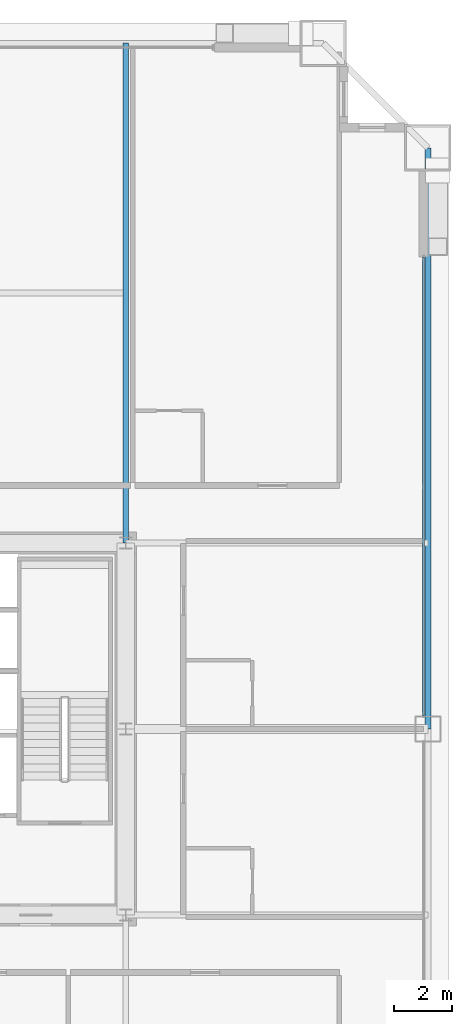
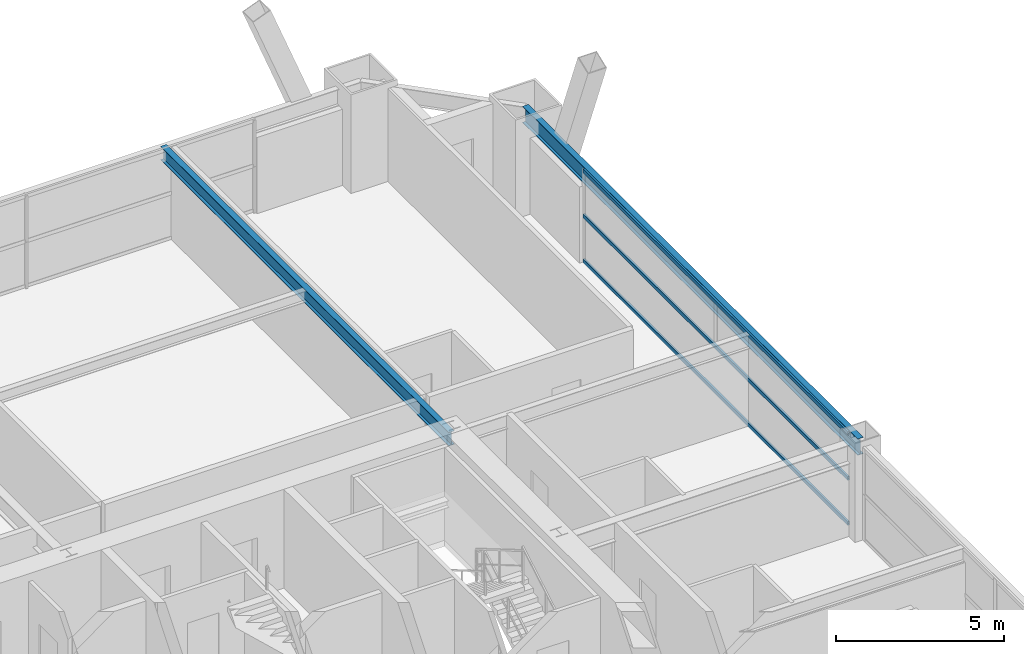
# One storey, part 33 of 43: 3 members, 2 beams, 1 element without a shape of its own.
"""IFC4 building model written with IfcOpenShell, lengths in metres."""

from ifc_helpers import new_model, si_unit, direction, frame, origin, origin_2d, place, context, subcontext, project, spatial, hollow_rectangle, i_section, extrude, source, transform, mapped, material, layer, layer_set, material_profile, profile_set, type_object, element, aggregate, save


model = new_model("IFC4")

# Units and contexts
model_context = context("Model", 3, precision=1e-05, world=origin(), true_north=direction((0.0, 1.0)))
body_context = subcontext(model_context, "Body", "Model", "MODEL_VIEW")
ifc_project = project(units=[si_unit("LENGTHUNIT", "METRE"), si_unit("AREAUNIT", "SQUARE_METRE"), si_unit("VOLUMEUNIT", "CUBIC_METRE"), si_unit("PLANEANGLEUNIT", "RADIAN"), si_unit("MASSUNIT", "GRAM", prefix="KILO"), si_unit("THERMODYNAMICTEMPERATUREUNIT", "KELVIN"), si_unit("POWERUNIT", "WATT")], contexts=[model_context])

# Site, building, storey
site_placement = place(None, origin())
site = spatial("IfcSite", under=ifc_project, at=site_placement, CompositionType="ELEMENT")
building_placement = place(site_placement, origin())
building = spatial("IfcBuilding", under=site, at=building_placement, Name="Yuzanri Waterfront Tower", CompositionType="ELEMENT")
storey_placement = place(building_placement, frame((0.0, 0.0, 138.0)))
storey = spatial("IfcBuildingStorey", under=building, at=storey_placement, Name="L36", CompositionType="ELEMENT", Elevation=138.0)

# Beams
ifc_material_1 = material(Name="Steel Q355B", Category="steel")
ifc_material_profile_1 = material_profile(ifc_material_1, i_section(OverallWidth=0.199951171875, OverallDepth=0.60009765625, WebThickness=0.010986328125, FlangeThickness=0.01708984375, at=origin_2d()), Name="HN 600x200x11x17")
ifc_profile_set_1 = profile_set([ifc_material_profile_1], Name="Steel Q355B")
beam_type_1 = type_object("IfcBeamType", Name="Perimeter Spandrel Q355B HN 600x200", PredefinedType="SPANDREL", material=ifc_profile_set_1)
shared_shape_1 = source(origin(), body_context, "Body", "SweptSolid", [
    extrude(i_section(OverallWidth=0.199951171875, OverallDepth=0.60009765625, WebThickness=0.010986328125, FlangeThickness=0.01708984375, at=origin_2d()), origin(), (0.0, 0.0, 1.0), 20.0),
])
beam_1_placement = place(storey_placement, frame((60.60009765625, 25.800048828125, 3.080078125), z_axis=(0.0, 1.0, 0.0), x_axis=(-1.0, 0.0, 0.0)))
element("IfcBeam", 1, at=beam_1_placement, inside=storey, type_object=beam_type_1, Name="L36 Perimeter Spandrel E2-E3", PredefinedType="SPANDREL", context=body_context, shape_type="MappedRepresentation", body=[
    mapped(shared_shape_1, transform((0.0, 0.0, 0.0), scale=1.0)),
])
ifc_material_2 = material(Name="Steel Q355B", Category="steel")
ifc_material_profile_2 = material_profile(ifc_material_2, i_section(OverallWidth=0.199951171875, OverallDepth=0.5, WebThickness=0.010009765625, FlangeThickness=0.01611328125, at=origin_2d()), Name="HN 500x200x10x16")
ifc_profile_set_2 = profile_set([ifc_material_profile_2], Name="Steel Q355B")
beam_type_2 = type_object("IfcBeamType", Name="Secondary Floor Beam Q355B HN 500x200", PredefinedType="BEAM", material=ifc_profile_set_2)
shared_shape_2 = source(origin(), body_context, "Body", "SweptSolid", [
    extrude(i_section(OverallWidth=0.199951171875, OverallDepth=0.5, WebThickness=0.010009765625, FlangeThickness=0.01611328125, at=origin_2d()), origin(), (0.0, 0.0, 1.0), 17.199951171875),
])
beam_2_placement = place(storey_placement, frame((50.199951171875, 32.199951171875, 3.1298828125), z_axis=(0.0, 1.0, 0.0), x_axis=(-1.0, 0.0, 0.0)))
element("IfcBeam", 2, at=beam_2_placement, inside=storey, type_object=beam_type_2, Name="L36 North-East Core Line Beam", PredefinedType="BEAM", context=body_context, shape_type="MappedRepresentation", body=[
    mapped(shared_shape_2, transform((0.0, 0.0, 0.0), scale=1.0)),
])

# Curtain wall, members
ifc_material_3 = material(Name="Anodized Architectural Bronze", Category="metal")
ifc_layer = layer(ifc_material_3, 0.159912109375)
ifc_layer_set = layer_set([ifc_layer], Name="Anodized Architectural Bronze")
curtain_wall_type = type_object("IfcCurtainWallType", Name="Anodized Bronze Hotel Upper-Tier Solar-Control Unitized Curtain Wall 7800", PredefinedType="NOTDEFINED", material=ifc_layer_set)
curtain_wall_placement = place(storey_placement, origin())
curtain_wall = element("IfcCurtainWall", 3, at=curtain_wall_placement, inside=storey, type_object=curtain_wall_type, Name="L36 Curtain Wall CW-L36-ER", PredefinedType="NOTDEFINED")
ifc_material_4 = material(Name="Anodized Architectural Bronze", Category="metal")
ifc_material_profile_3 = material_profile(ifc_material_4, hollow_rectangle(XDim=0.070068359375, YDim=0.135009765625, WallThickness=0.00341796875, at=origin_2d()), Name="CWT 70x135")
ifc_profile_set_3 = profile_set([ifc_material_profile_3], Name="Anodized Architectural Bronze")
member_type = type_object("IfcMemberType", Name="Anodized Bronze Standard Curtain-Wall Transom 70x135", PredefinedType="USERDEFINED", material=ifc_profile_set_3)
shared_shape_3 = source(origin(), body_context, "Body", "SweptSolid", [
    extrude(hollow_rectangle(XDim=0.070068359375, YDim=0.135009765625, WallThickness=0.00341796875, at=origin_2d()), origin(), (0.0, 0.0, 1.0), 15.800048828125),
])
member_1_placement = place(storey_placement, frame((60.449951171875, 26.25, 0.050048828125), z_axis=(0.0, 1.0, 0.0), x_axis=(-1.0, 0.0, 0.0)))
member_1 = element("IfcMember", 4, at=member_1_placement, type_object=member_type, Name="CW-L36-ER Transom 1", ObjectType="TRANSOM", PredefinedType="USERDEFINED", context=body_context, shape_type="MappedRepresentation", body=[
    mapped(shared_shape_3, transform((0.0, 0.0, 0.0), scale=1.0)),
])
member_2_placement = place(storey_placement, frame((60.449951171875, 26.25, 1.68994140625), z_axis=(0.0, 1.0, 0.0), x_axis=(-1.0, 0.0, 0.0)))
member_2 = element("IfcMember", 5, at=member_2_placement, type_object=member_type, Name="CW-L36-ER Transom 2", ObjectType="TRANSOM", PredefinedType="USERDEFINED", context=body_context, shape_type="MappedRepresentation", body=[
    mapped(shared_shape_3, transform((0.0, 0.0, 0.0), scale=1.0)),
])
member_3_placement = place(storey_placement, frame((60.449951171875, 26.25, 3.330078125), z_axis=(0.0, 1.0, 0.0), x_axis=(-1.0, 0.0, 0.0)))
member_3 = element("IfcMember", 6, at=member_3_placement, type_object=member_type, Name="CW-L36-ER Transom 3", ObjectType="TRANSOM", PredefinedType="USERDEFINED", context=body_context, shape_type="MappedRepresentation", body=[
    mapped(shared_shape_3, transform((0.0, 0.0, 0.0), scale=1.0)),
])
aggregate(curtain_wall, [member_1, member_2, member_3])

save(model, "model.ifc")
